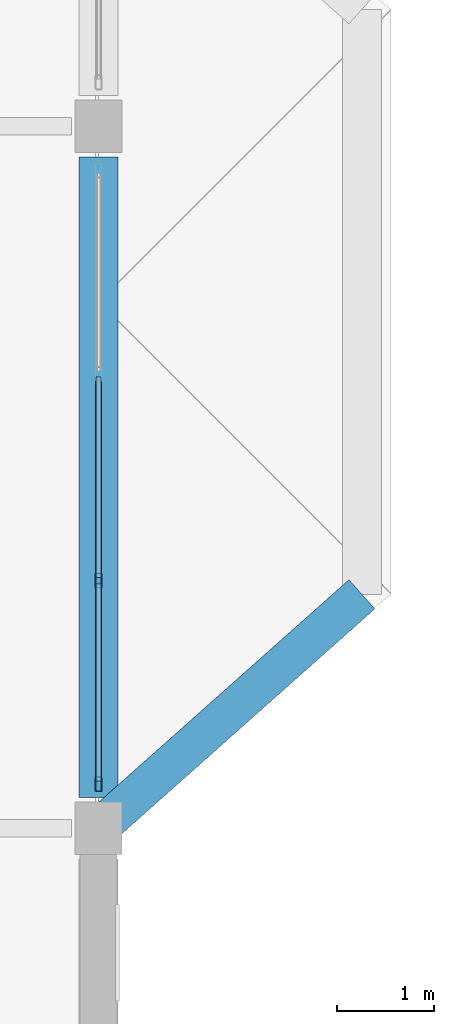
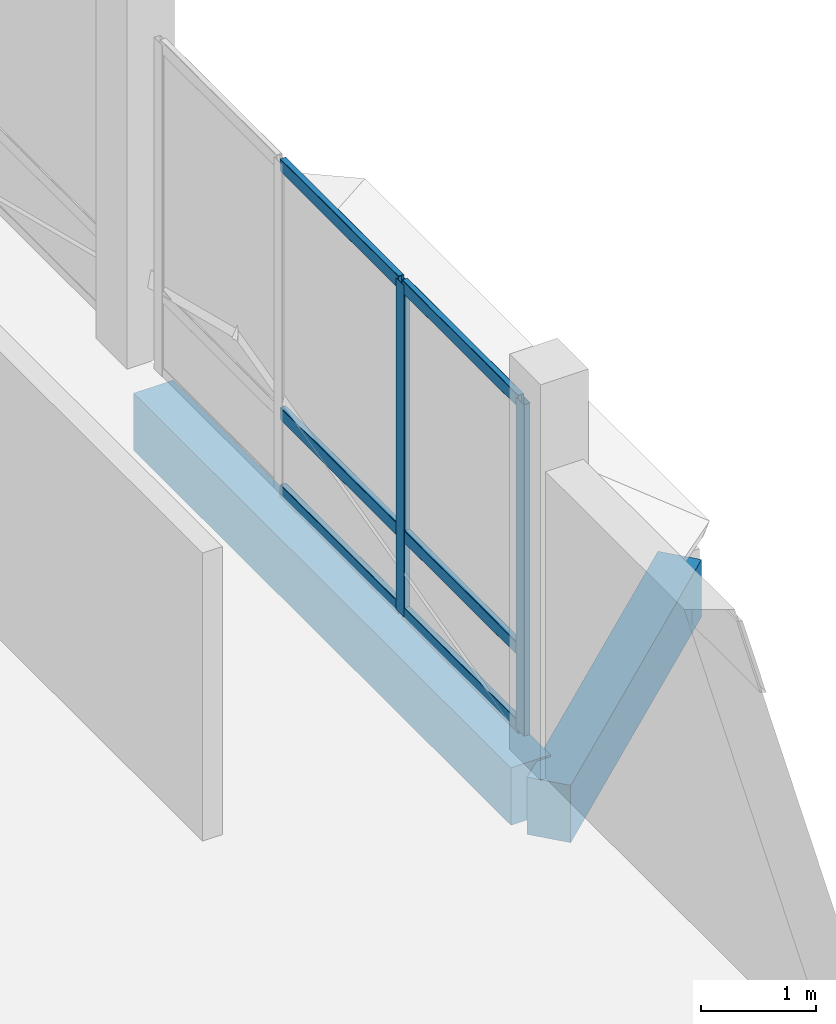
# One storey, part 12 of 72: 8 members, 2 beams, 1 element without a shape of its own.
"""IFC4 building model written with IfcOpenShell, lengths in metres."""

from ifc_helpers import new_model, si_unit, direction, frame, origin, origin_2d, place, context, subcontext, project, spatial, rectangle, hollow_rectangle, extrude, material, material_profile, profile_set, type_object, element, aggregate, save


model = new_model("IFC4")

# Units and contexts
model_context = context("Model", 3, precision=1e-05, world=origin(), true_north=direction((0.0, 1.0)))
body_context = subcontext(model_context, "Body", "Model", "MODEL_VIEW")
ifc_project = project(units=[si_unit("LENGTHUNIT", "METRE"), si_unit("AREAUNIT", "SQUARE_METRE"), si_unit("VOLUMEUNIT", "CUBIC_METRE"), si_unit("PLANEANGLEUNIT", "RADIAN"), si_unit("MASSUNIT", "GRAM", prefix="KILO")], contexts=[model_context])

# Site, building, storey
site_placement = place(None, origin())
site = spatial("IfcSite", under=ifc_project, at=site_placement, CompositionType="ELEMENT")
building_placement = place(site_placement, origin())
building = spatial("IfcBuilding", under=site, at=building_placement, Name="Lusvemor Sports Hall", CompositionType="ELEMENT")
storey_placement = place(building_placement, frame((0.0, 0.0, 15.0)))
storey = spatial("IfcBuildingStorey", under=building, at=storey_placement, Name="L03", CompositionType="ELEMENT", Elevation=15.0)

# Curtain wall, members
ifc_material_1 = material(Name="Thermally broken bronze-anodized aluminium", Category="aluminium")
curtain_wall_type = type_object("IfcCurtainWallType", Name="CW_WING_B", PredefinedType="NOTDEFINED", material=ifc_material_1)
curtain_wall_placement = place(storey_placement, origin())
curtain_wall = element("IfcCurtainWall", 1, at=curtain_wall_placement, inside=storey, type_object=curtain_wall_type, Name="Curtain Wall CW-L03-E-4-3", PredefinedType="NOTDEFINED")
ifc_material_2 = material(Name="Thermally broken bronze-anodized aluminium", Category="aluminium")
ifc_material_profile_1 = material_profile(ifc_material_2, hollow_rectangle(XDim=0.06494140625, YDim=0.14990234375, WallThickness=0.00390625, InnerFilletRadius=0.00390625, OuterFilletRadius=0.008056640625, at=origin_2d()), Name="CWMUL150x65x4")
ifc_profile_set_1 = profile_set([ifc_material_profile_1], Name="Thermally broken bronze-anodized aluminium")
member_type_1 = type_object("IfcMemberType", Name="CW_MUL_B", PredefinedType="MULLION", material=ifc_profile_set_1)
member_1_placement = place(storey_placement, frame((21.60009765625, 78.139892578125, 0.0), z_axis=(0.0, 0.0, 1.0), x_axis=(1.0, 0.0, 0.0)))
member_1 = element("IfcMember", 2, at=member_1_placement, type_object=member_type_1, Name="CW02 mullion 3", PredefinedType="MULLION", context=body_context, shape_type="SweptSolid", body=[
    extrude(hollow_rectangle(XDim=0.06494140625, YDim=0.14990234375, WallThickness=0.00390625, InnerFilletRadius=0.00390625, OuterFilletRadius=0.008056640625, at=origin_2d()), origin(), (0.0, 0.0, 1.0), 3.52001953125),
])
member_2_placement = place(storey_placement, frame((21.60009765625, 76.052490234375, 0.0), z_axis=(0.0, 0.0, 1.0), x_axis=(1.0, 0.0, 0.0)))
member_2 = element("IfcMember", 3, at=member_2_placement, type_object=member_type_1, Name="CW02 mullion 4", PredefinedType="MULLION", context=body_context, shape_type="SweptSolid", body=[
    extrude(hollow_rectangle(XDim=0.06494140625, YDim=0.14990234375, WallThickness=0.00390625, InnerFilletRadius=0.00390625, OuterFilletRadius=0.008056640625, at=origin_2d()), origin(), (0.0, 0.0, 1.0), 3.52001953125),
])
ifc_material_3 = material(Name="Thermally broken bronze-anodized aluminium", Category="aluminium")
ifc_material_profile_2 = material_profile(ifc_material_3, hollow_rectangle(XDim=0.06005859375, YDim=0.135009765625, WallThickness=0.00390625, InnerFilletRadius=0.00390625, OuterFilletRadius=0.008056640625, at=origin_2d()), Name="CWTRN135x60x4")
ifc_profile_set_2 = profile_set([ifc_material_profile_2], Name="Thermally broken bronze-anodized aluminium")
member_type_2 = type_object("IfcMemberType", Name="CW_TRN_B", PredefinedType="USERDEFINED", material=ifc_profile_set_2)
member_3_placement = place(storey_placement, frame((21.60009765625, 80.2275390625, 0.030029296875), z_axis=(0.0, -1.0, 0.0), x_axis=(1.0, 0.0, 0.0)))
member_3 = element("IfcMember", 4, at=member_3_placement, type_object=member_type_2, Name="CW02 transom 2.1", ObjectType="TRANSOM", PredefinedType="USERDEFINED", context=body_context, shape_type="SweptSolid", body=[
    extrude(hollow_rectangle(XDim=0.06005859375, YDim=0.135009765625, WallThickness=0.00390625, InnerFilletRadius=0.00390625, OuterFilletRadius=0.008056640625, at=origin_2d()), origin(), (0.0, 0.0, 1.0), 2.054931640625),
])
member_4_placement = place(storey_placement, frame((21.60009765625, 80.2275390625, 0.85009765625), z_axis=(0.0, -1.0, 0.0), x_axis=(1.0, 0.0, 0.0)))
member_4 = element("IfcMember", 5, at=member_4_placement, type_object=member_type_2, Name="CW02 transom 2.2", ObjectType="TRANSOM", PredefinedType="USERDEFINED", context=body_context, shape_type="SweptSolid", body=[
    extrude(hollow_rectangle(XDim=0.06005859375, YDim=0.135009765625, WallThickness=0.00390625, InnerFilletRadius=0.00390625, OuterFilletRadius=0.008056640625, at=origin_2d()), origin(), (0.0, 0.0, 1.0), 2.054931640625),
])
member_5_placement = place(storey_placement, frame((21.60009765625, 80.2275390625, 3.489990234375), z_axis=(0.0, -1.0, 0.0), x_axis=(1.0, 0.0, 0.0)))
member_5 = element("IfcMember", 6, at=member_5_placement, type_object=member_type_2, Name="CW02 transom 2.3", ObjectType="TRANSOM", PredefinedType="USERDEFINED", context=body_context, shape_type="SweptSolid", body=[
    extrude(hollow_rectangle(XDim=0.06005859375, YDim=0.135009765625, WallThickness=0.00390625, InnerFilletRadius=0.00390625, OuterFilletRadius=0.008056640625, at=origin_2d()), origin(), (0.0, 0.0, 1.0), 2.054931640625),
])
member_6_placement = place(storey_placement, frame((21.60009765625, 78.107421875, 0.030029296875), z_axis=(0.0, -1.0, 0.0), x_axis=(1.0, 0.0, 0.0)))
member_6 = element("IfcMember", 7, at=member_6_placement, type_object=member_type_2, Name="CW02 transom 3.1", ObjectType="TRANSOM", PredefinedType="USERDEFINED", context=body_context, shape_type="SweptSolid", body=[
    extrude(hollow_rectangle(XDim=0.06005859375, YDim=0.135009765625, WallThickness=0.00390625, InnerFilletRadius=0.00390625, OuterFilletRadius=0.008056640625, at=origin_2d()), origin(), (0.0, 0.0, 1.0), 2.0224609375),
])
member_7_placement = place(storey_placement, frame((21.60009765625, 78.107421875, 0.85009765625), z_axis=(0.0, -1.0, 0.0), x_axis=(1.0, 0.0, 0.0)))
member_7 = element("IfcMember", 8, at=member_7_placement, type_object=member_type_2, Name="CW02 transom 3.2", ObjectType="TRANSOM", PredefinedType="USERDEFINED", context=body_context, shape_type="SweptSolid", body=[
    extrude(hollow_rectangle(XDim=0.06005859375, YDim=0.135009765625, WallThickness=0.00390625, InnerFilletRadius=0.00390625, OuterFilletRadius=0.008056640625, at=origin_2d()), origin(), (0.0, 0.0, 1.0), 2.0224609375),
])
member_8_placement = place(storey_placement, frame((21.60009765625, 78.107421875, 3.489990234375), z_axis=(0.0, -1.0, 0.0), x_axis=(1.0, 0.0, 0.0)))
member_8 = element("IfcMember", 9, at=member_8_placement, type_object=member_type_2, Name="CW02 transom 3.3", ObjectType="TRANSOM", PredefinedType="USERDEFINED", context=body_context, shape_type="SweptSolid", body=[
    extrude(hollow_rectangle(XDim=0.06005859375, YDim=0.135009765625, WallThickness=0.00390625, InnerFilletRadius=0.00390625, OuterFilletRadius=0.008056640625, at=origin_2d()), origin(), (0.0, 0.0, 1.0), 2.0224609375),
])
aggregate(curtain_wall, [member_1, member_2, member_3, member_4, member_5, member_6, member_7, member_8])

# Beams
ifc_material_4 = material(Name="Concrete C40/50", Category="concrete")
ifc_material_profile_3 = material_profile(ifc_material_4, rectangle(XDim=0.39990234375, YDim=0.610107421875, at=origin_2d()), Name="RC400x610")
ifc_profile_set_3 = profile_set([ifc_material_profile_3], Name="Concrete C40/50")
beam_type = type_object("IfcBeamType", Name="SPAND_EXT_650", PredefinedType="SPANDREL", material=ifc_profile_set_3)
beam_1_placement = place(storey_placement, frame((21.60009765625, 75.916015625, -0.544921875), z_axis=(0.0, 1.0, 0.0), x_axis=(-1.0, 0.0, 0.0)))
element("IfcBeam", 10, at=beam_1_placement, inside=storey, type_object=beam_type, Name="Beam L03 3:K-L", PredefinedType="SPANDREL", context=body_context, shape_type="SweptSolid", body=[
    extrude(rectangle(XDim=0.39990234375, YDim=0.610107421875, at=origin_2d()), origin(), (0.0, 0.0, 1.0), 6.56787109375),
])
beam_2_placement = place(storey_placement, frame((24.300048828125, 78.0, -0.56494140625), z_axis=(-0.747416776234, -0.66435544899, 0.0), x_axis=(0.66435544899, -0.747416776234, 0.0)))
element("IfcBeam", 11, at=beam_2_placement, inside=storey, type_object=beam_type, Name="Bow Pavilion Edge Beam BOW-CT L03-3", PredefinedType="SPANDREL", context=body_context, shape_type="SweptSolid", body=[
    extrude(rectangle(XDim=0.39990234375, YDim=0.610107421875, at=origin_2d()), origin(), (0.0, 0.0, 1.0), 3.6123046875),
])

save(model, "model.ifc")
